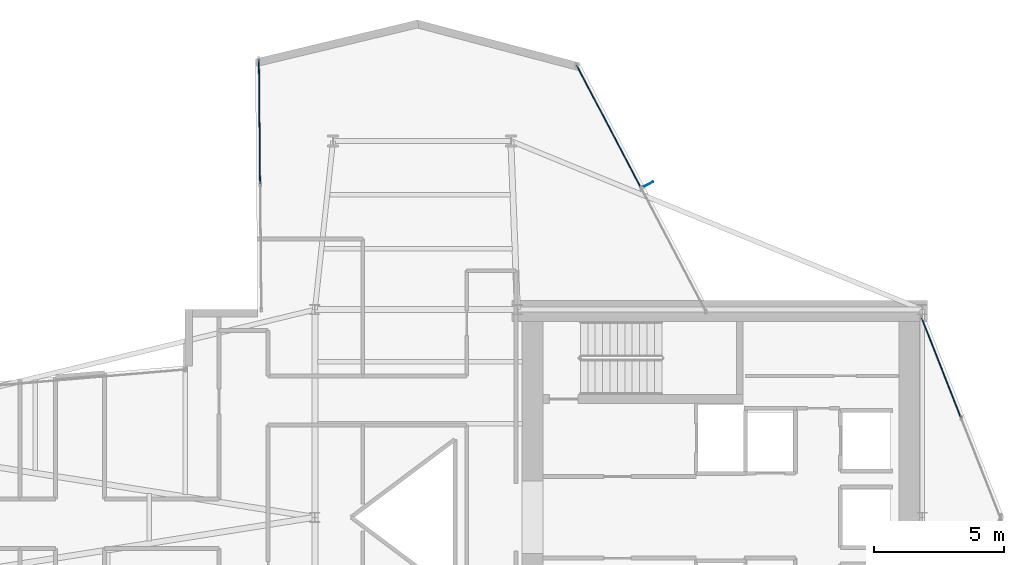
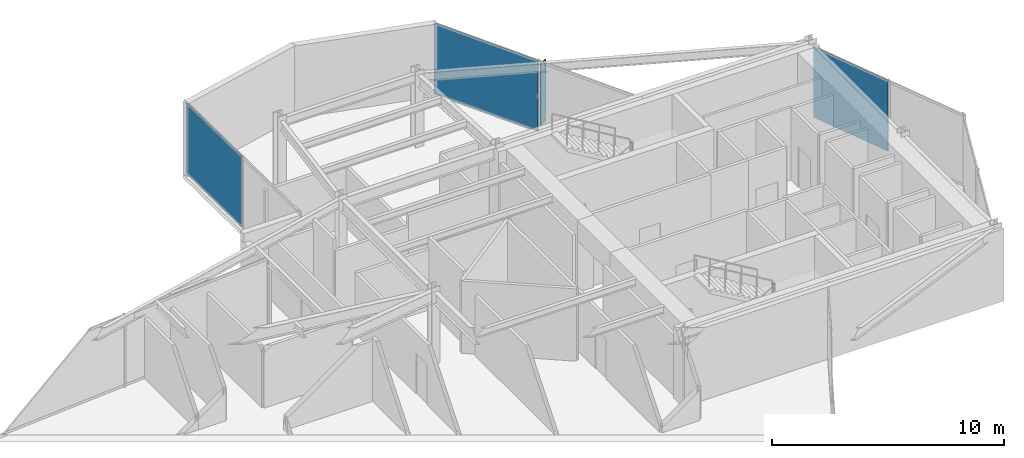
# One storey, part 21 of 25: 4 plates, 3 elements without a shape of their own.
"""IFC4 building model written with IfcOpenShell, lengths in metres."""

from ifc_helpers import new_model, si_unit, direction, frame, origin, origin_2d, place, context, subcontext, project, spatial, rectangle, extrude, material, layer, layer_set, type_object, element, aggregate, save


model = new_model("IFC4")

# Units and contexts
model_context = context("Model", 3, precision=1e-05, world=origin(), true_north=direction((0.0, 1.0)))
body_context = subcontext(model_context, "Body", "Model", "MODEL_VIEW")
ifc_project = project(units=[si_unit("LENGTHUNIT", "METRE"), si_unit("AREAUNIT", "SQUARE_METRE"), si_unit("VOLUMEUNIT", "CUBIC_METRE"), si_unit("PLANEANGLEUNIT", "RADIAN"), si_unit("MASSUNIT", "GRAM", prefix="KILO")], contexts=[model_context])

# Site, building, storey
site_placement = place(None, origin())
site = spatial("IfcSite", under=ifc_project, at=site_placement, CompositionType="ELEMENT")
building_placement = place(site_placement, origin())
building = spatial("IfcBuilding", under=site, at=building_placement, Name="Veymaron Broadcast Tower", CompositionType="ELEMENT")
storey_placement = place(building_placement, frame((0.0, 0.0, 141.14990234375)))
storey = spatial("IfcBuildingStorey", under=building, at=storey_placement, Name="L32", CompositionType="ELEMENT", Elevation=141.14990234375)

# Curtain wall, plate
ifc_material_1 = material(Name="Anodised aluminium AA 6063-T6 and laminated low-E dark glass", Category="aluminium")
ifc_layer_1 = layer(ifc_material_1, 0.179931640625)
ifc_layer_set_1 = layer_set([ifc_layer_1], Name="Anodised aluminium AA 6063-T6 and laminated low-E dark glass")
curtain_wall_type = type_object("IfcCurtainWallType", Name="CW-SYS-03", PredefinedType="NOTDEFINED", material=ifc_layer_set_1)
curtain_wall_1_placement = place(storey_placement, origin())
curtain_wall_1 = element("IfcCurtainWall", 1, at=curtain_wall_1_placement, inside=storey, type_object=curtain_wall_type, Name="L32 dark-glass curtain wall CW-L32-E3-1", PredefinedType="NOTDEFINED")
ifc_material_2 = material(Name="Insulated dark-anodised aluminium spandrel panel 40 mm", Category="aluminium")
ifc_layer_2 = layer(ifc_material_2, 0.0400390625)
ifc_layer_set_2 = layer_set([ifc_layer_2], Name="Insulated dark-anodised aluminium spandrel panel 40 mm")
plate_type_1 = type_object("IfcPlateType", Name="CW-PNL-03", PredefinedType="CURTAIN_PANEL", material=ifc_layer_set_2)
plate_1_placement = place(storey_placement, frame((55.331787109375, 29.759521484375, 0.0400390625), z_axis=(0.0, 0.0, 1.0), x_axis=(-0.366371312352, 0.930468732137, 0.0)))
plate_1 = element("IfcPlate", 2, at=plate_1_placement, type_object=plate_type_1, Name="CW-L32-E3-1 unitised curtain panel 1", PredefinedType="CURTAIN_PANEL", context=body_context, shape_type="SweptSolid", body=[
    extrude(rectangle(XDim=4.103515625, YDim=0.0400390625, at=origin_2d()), origin(), (0.0, 0.0, 1.0), 3.72998046875),
])
aggregate(curtain_wall_1, [plate_1])

curtain_wall_2_placement = place(storey_placement, origin())
curtain_wall_2 = element("IfcCurtainWall", 3, at=curtain_wall_2_placement, inside=storey, type_object=curtain_wall_type, Name="L32 dark-glass curtain wall CW-L32-E5-1", PredefinedType="NOTDEFINED")
plate_2_placement = place(storey_placement, frame((42.519287109375, 39.06005859375, 0.0400390625), z_axis=(0.0, 0.0, 1.0), x_axis=(-0.46447113214, 0.885588260654, 0.0)))
plate_2 = element("IfcPlate", 4, at=plate_2_placement, type_object=plate_type_1, Name="CW-L32-E5-1 unitised curtain panel 1", PredefinedType="CURTAIN_PANEL", context=body_context, shape_type="SweptSolid", body=[
    extrude(rectangle(XDim=5.3037109375, YDim=0.0400390625, at=origin_2d()), origin(), (0.0, 0.0, 1.0), 3.72998046875),
])
aggregate(curtain_wall_2, [plate_2])

curtain_wall_3_placement = place(storey_placement, origin())
curtain_wall_3 = element("IfcCurtainWall", 5, at=curtain_wall_3_placement, inside=storey, type_object=curtain_wall_type, Name="L32 dark-glass curtain wall CW-L32-E8-1", PredefinedType="NOTDEFINED")
plate_3_placement = place(storey_placement, frame((29.064697265625, 39.23876953125, 0.0400390625), z_axis=(0.0, 0.0, 1.0), x_axis=(0.009354828341, -0.999956242636, 0.0)))
plate_3 = element("IfcPlate", 6, at=plate_3_placement, type_object=plate_type_1, Name="CW-L32-E8-1 unitised curtain panel 0", PredefinedType="CURTAIN_PANEL", context=body_context, shape_type="SweptSolid", body=[
    extrude(rectangle(XDim=4.76513671875, YDim=0.0400390625, at=origin_2d()), origin(), (0.0, 0.0, 1.0), 3.72998046875),
])
aggregate(curtain_wall_3, [plate_3])

# Plate
ifc_material_3 = material(Name="Dark-anodised aluminium AA 6061-T6", Category="aluminium")
ifc_layer_3 = layer(ifc_material_3, 0.031982421875)
ifc_layer_set_3 = layer_set([ifc_layer_3], Name="Dark-anodised aluminium AA 6061-T6")
plate_type_2 = type_object("IfcPlateType", Name="FIN-CHEV-03", PredefinedType="USERDEFINED", material=ifc_layer_set_3)
plate_4_placement = place(storey_placement, frame((44.057373046875, 36.83837890625, 0.2666015625), z_axis=(0.0, 0.0, 1.0), x_axis=(0.885588260654, 0.46447113214, 0.0)))
element("IfcPlate", 7, at=plate_4_placement, inside=storey, type_object=plate_type_2, Name="CW-L32-E5-1 chevron fin 1", ObjectType="FIN", PredefinedType="USERDEFINED", context=body_context, shape_type="SweptSolid", body=[
    extrude(rectangle(XDim=0.39990234375, YDim=0.034912109375, at=origin_2d()), origin(), (0.0, 0.0, 1.0), 3.276611328125),
])

save(model, "model.ifc")
